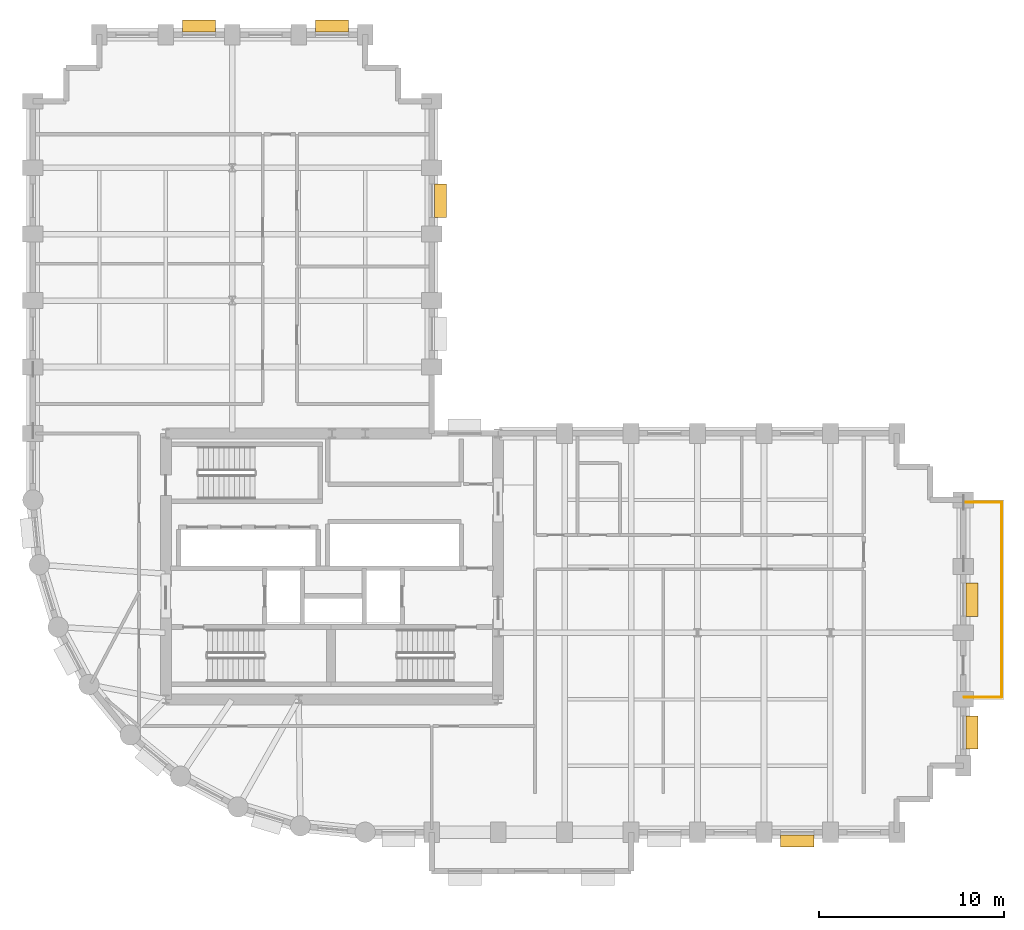
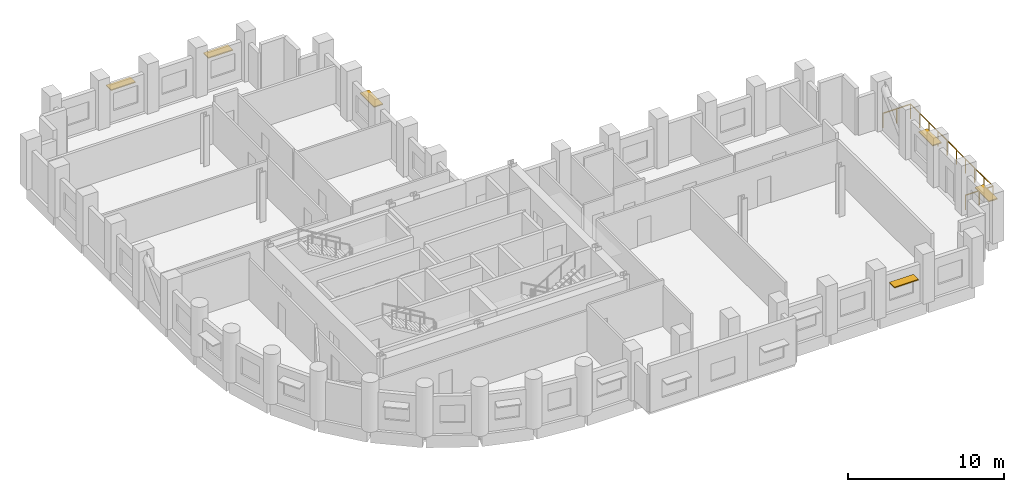
# One storey, part 10 of 10: 6 shading devices, 3 railings.
"""IFC4 building model written with IfcOpenShell, lengths in metres."""

from ifc_helpers import new_model, si_unit, direction, frame, origin, origin_2d, place, context, subcontext, project, spatial, rectangle, circle, extrude, material, layer, layer_set, type_object, element, save


model = new_model("IFC4")

# Units and contexts
model_context = context("Model", 3, precision=1e-05, world=origin(), true_north=direction((0.0, 1.0)))
body_context = subcontext(model_context, "Body", "Model", "MODEL_VIEW")
ifc_project = project(units=[si_unit("LENGTHUNIT", "METRE"), si_unit("AREAUNIT", "SQUARE_METRE"), si_unit("VOLUMEUNIT", "CUBIC_METRE"), si_unit("PLANEANGLEUNIT", "RADIAN"), si_unit("MASSUNIT", "GRAM", prefix="KILO")], contexts=[model_context])

# Site, building, storey
site_placement = place(None, origin())
site = spatial("IfcSite", under=ifc_project, at=site_placement, CompositionType="ELEMENT")
building_placement = place(site_placement, origin())
building = spatial("IfcBuilding", under=site, at=building_placement, Name="Solnavia Interchange Tower", CompositionType="ELEMENT")
storey_placement = place(building_placement, frame((0.0, 0.0, 103.5)))
storey = spatial("IfcBuildingStorey", under=building, at=storey_placement, Name="L25", CompositionType="ELEMENT", Elevation=103.5)

# Railings
ifc_material_1 = material(Name="Laminated Safety Glass & Stainless Steel", Category="steel")
railing_type = type_object("IfcRailingType", Name="Railing-TerraceGuard-1150", PredefinedType="GUARDRAIL", material=ifc_material_1)
railing_1_placement = place(storey_placement, frame((57.64990234375, 10.919921875, -0.0400390625)))
element("IfcRailing", 1, at=railing_1_placement, inside=storey, type_object=railing_type, Name="GRD-L25-TER-01 Perimeter terrace guardrail", PredefinedType="GUARDRAIL", context=body_context, shape_type="SweptSolid", body=[
    extrude(circle(Radius=0.02392578125, at=origin_2d()), frame((0.0, 0.0, 1.1259765625), z_axis=(1.0, 0.0, 0.0), x_axis=(0.0, 1.0, 0.0)), (0.0, 0.0, 1.0), 2.030029296875),
    extrude(circle(Radius=0.02099609375, at=origin_2d()), origin(), (0.0, 0.0, 1.0), 1.101806640625),
    extrude(circle(Radius=0.02099609375, at=origin_2d()), frame((1.01513671875, 0.0, 0.0)), (0.0, 0.0, 1.0), 1.101806640625),
    extrude(circle(Radius=0.02099609375, at=origin_2d()), frame((2.030029296875, 0.0, 0.0)), (0.0, 0.0, 1.0), 1.101806640625),
])
railing_2_placement = place(storey_placement, frame((59.679931640625, 10.919921875, -0.0400390625)))
element("IfcRailing", 2, at=railing_2_placement, inside=storey, type_object=railing_type, Name="GRD-L25-TER-02 Perimeter terrace guardrail", PredefinedType="GUARDRAIL", context=body_context, shape_type="SweptSolid", body=[
    extrude(circle(Radius=0.02392578125, at=origin_2d()), frame((0.0, 0.0, 1.1259765625), z_axis=(0.0, 1.0, 0.0), x_axis=(-1.0, 0.0, 0.0)), (0.0, 0.0, 1.0), 10.56005859375),
    extrude(circle(Radius=0.02099609375, at=origin_2d()), origin(), (0.0, 0.0, 1.0), 1.101806640625),
    extrude(circle(Radius=0.02099609375, at=origin_2d()), frame((0.0, 1.17333984375, 0.0)), (0.0, 0.0, 1.0), 1.101806640625),
    extrude(circle(Radius=0.02099609375, at=origin_2d()), frame((0.0, 2.3466796875, 0.0)), (0.0, 0.0, 1.0), 1.101806640625),
    extrude(circle(Radius=0.02099609375, at=origin_2d()), frame((0.0, 3.52001953125, 0.0)), (0.0, 0.0, 1.0), 1.101806640625),
    extrude(circle(Radius=0.02099609375, at=origin_2d()), frame((0.0, 4.693359375, 0.0)), (0.0, 0.0, 1.0), 1.101806640625),
    extrude(circle(Radius=0.02099609375, at=origin_2d()), frame((0.0, 5.86669921875, 0.0)), (0.0, 0.0, 1.0), 1.101806640625),
    extrude(circle(Radius=0.02099609375, at=origin_2d()), frame((0.0, 7.0400390625, 0.0)), (0.0, 0.0, 1.0), 1.101806640625),
    extrude(circle(Radius=0.02099609375, at=origin_2d()), frame((0.0, 8.21337890625, 0.0)), (0.0, 0.0, 1.0), 1.101806640625),
    extrude(circle(Radius=0.02099609375, at=origin_2d()), frame((0.0, 9.38671875, 0.0)), (0.0, 0.0, 1.0), 1.101806640625),
    extrude(circle(Radius=0.02099609375, at=origin_2d()), frame((0.0, 10.56005859375, 0.0)), (0.0, 0.0, 1.0), 1.101806640625),
])
railing_3_placement = place(storey_placement, frame((59.679931640625, 21.47998046875, -0.0400390625)))
element("IfcRailing", 3, at=railing_3_placement, inside=storey, type_object=railing_type, Name="GRD-L25-TER-03 Perimeter terrace guardrail", PredefinedType="GUARDRAIL", context=body_context, shape_type="SweptSolid", body=[
    extrude(circle(Radius=0.02392578125, at=origin_2d()), frame((0.0, 0.0, 1.1259765625), z_axis=(-1.0, 0.0, 0.0), x_axis=(0.0, -1.0, 0.0)), (0.0, 0.0, 1.0), 2.030029296875),
    extrude(circle(Radius=0.02099609375, at=origin_2d()), origin(), (0.0, 0.0, 1.0), 1.101806640625),
    extrude(circle(Radius=0.02099609375, at=origin_2d()), frame((-1.01513671875, 0.0, 0.0)), (0.0, 0.0, 1.0), 1.101806640625),
    extrude(circle(Radius=0.02099609375, at=origin_2d()), frame((-2.030029296875, 0.0, 0.0)), (0.0, 0.0, 1.0), 1.101806640625),
])

# Shading devices
ifc_material_2 = material(Name="Anodised Aluminium Sunshade", Category="aluminium")
ifc_layer = layer(ifc_material_2, 0.080078125)
ifc_layer_set = layer_set([ifc_layer], Name="Anodised Aluminium Sunshade")
shading_device_type = type_object("IfcShadingDeviceType", Name="Sunshade-Band-650", PredefinedType="SHUTTER", material=ifc_layer_set)
for number, where, z_axis, x_axis, name in (
    (4, (48.60009765625, 3.1298828125, 2.219970703125), (0.0, 0.0, 1.0), (-1.0, 0.0, 0.0), "SHD-L25-09 Horizontal sunshade band"),
    (5, (58.070068359375, 9.0, 2.219970703125), (0.0, 0.0, 1.0), (0.0, -1.0, 0.0), "SHD-L25-15 Horizontal sunshade band"),
    (6, (58.070068359375, 16.199951171875, 2.219970703125), (0.0, 0.0, 1.0), (0.0, -1.0, 0.0), "SHD-L25-17 Horizontal sunshade band"),
    (7, (29.27001953125, 37.800048828125, 2.219970703125), (0.0, 0.0, 1.0), (0.0, -1.0, 0.0), "SHD-L25-33 Horizontal sunshade band"),
    (8, (23.39990234375, 47.27001953125, 2.219970703125), (0.0, 0.0, 1.0), (1.0, 0.0, 0.0), "SHD-L25-39 Horizontal sunshade band"),
    (9, (16.199951171875, 47.27001953125, 2.219970703125), (0.0, 0.0, 1.0), (1.0, 0.0, 0.0), "SHD-L25-41 Horizontal sunshade band"),
):
    element("IfcShadingDevice", number, at=place(storey_placement, frame(where, z_axis=z_axis, x_axis=x_axis)), inside=storey, type_object=shading_device_type, Name=name, PredefinedType="SHUTTER", context=body_context, shape_type="SweptSolid", body=[
        extrude(rectangle(XDim=1.800048828125, YDim=0.64990234375, at=origin_2d()), origin(), (0.0, 0.0, 1.0), 0.080078125),
    ])

save(model, "model.ifc")
